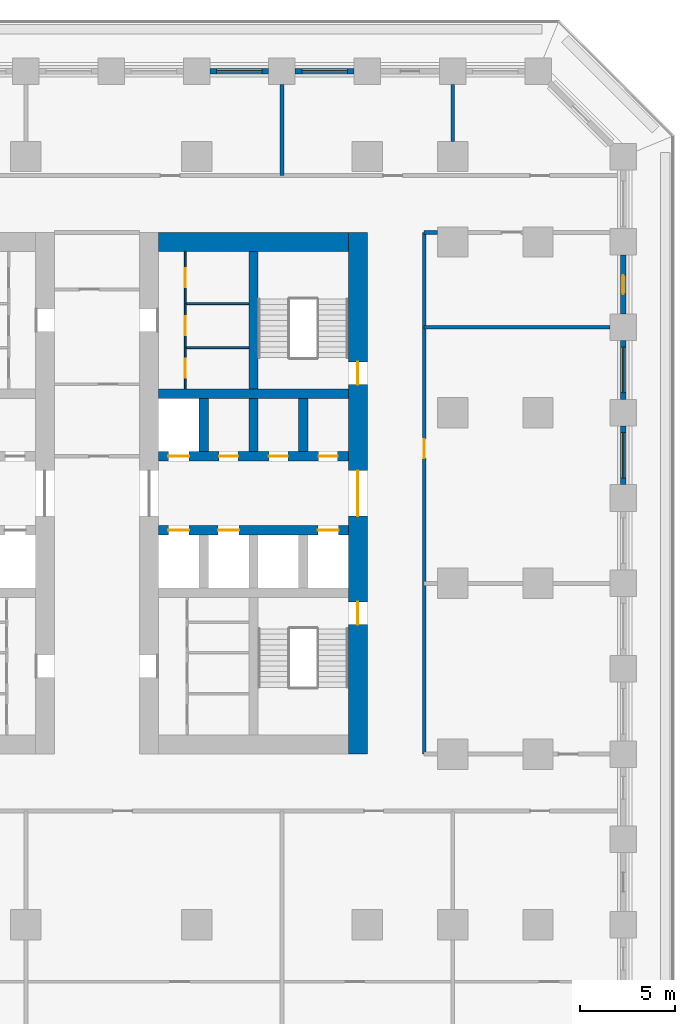
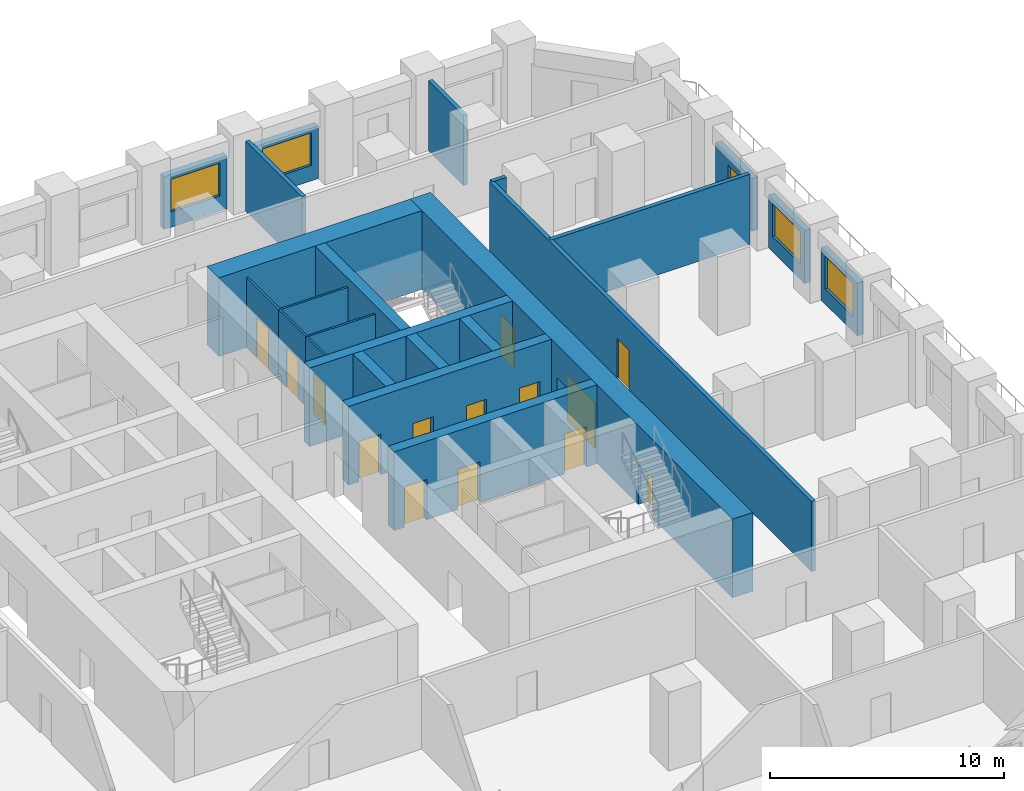
# One storey, part 7 of 11: 24 walls, 15 doors, 4 windows, 19 openings.
"""IFC4 building model written with IfcOpenShell, lengths in metres."""

from ifc_helpers import new_model, si_unit, direction, frame, frame_2d, origin, place, context, subcontext, project, spatial, rectangle, extrude, material, layer, layer_set, type_object, element, fill, save


model = new_model("IFC4")

# Units and contexts
model_context = context("Model", 3, precision=1e-05, world=origin(), true_north=direction((0.0, 1.0)))
body_context = subcontext(model_context, "Body", "Model", "MODEL_VIEW")
ifc_project = project(units=[si_unit("LENGTHUNIT", "METRE"), si_unit("AREAUNIT", "SQUARE_METRE"), si_unit("VOLUMEUNIT", "CUBIC_METRE"), si_unit("PLANEANGLEUNIT", "RADIAN"), si_unit("MASSUNIT", "GRAM", prefix="KILO")], contexts=[model_context])

# Site, building, storey
site_placement = place(None, origin())
site = spatial("IfcSite", under=ifc_project, at=site_placement, CompositionType="ELEMENT")
building_placement = place(site_placement, origin())
building = spatial("IfcBuilding", under=site, at=building_placement, Name="Corbel Stack Research Tower", CompositionType="ELEMENT")
storey_placement = place(building_placement, frame((0.0, 0.0, 46.0)))
storey = spatial("IfcBuildingStorey", under=building, at=storey_placement, Name="L10", CompositionType="ELEMENT", Elevation=46.0)

# Wall, openings, doors
ifc_material_1 = material(Name="Concrete C70/85", Category="concrete")
ifc_layer_1 = layer(ifc_material_1, 1.0)
ifc_layer_set_1 = layer_set([ifc_layer_1], Name="Concrete C70/85")
wall_type_1 = type_object("IfcWallType", Name="CW-1000-70", PredefinedType="SHEAR", material=ifc_layer_set_1)
wall_1_placement = place(storey_placement, frame((17.5, -9.0, 0.0), z_axis=(0.0, 0.0, 1.0), x_axis=(0.0, 1.0, 0.0)))
wall_1 = element("IfcWall", 1, at=wall_1_placement, inside=storey, type_object=wall_type_1, Name="East core wall, east face L10", PredefinedType="SHEAR", context=body_context, shape_type="SweptSolid", body=[
    extrude(rectangle(XDim=27.5, YDim=1.0, at=frame_2d((13.75, 0.0))), origin(), (0.0, 0.0, 1.0), 4.10009765625),
])
opening_1_placement = place(wall_1_placement, frame((12.550048828125, 0.0, 0.0)))
opening_1 = element("IfcOpeningElement", 2, at=opening_1_placement, cuts=wall_1, Name="Opening CD-E-E", PredefinedType="OPENING", context=body_context, shape_type="SweptSolid", body=[
    extrude(rectangle(XDim=2.39990234375, YDim=2.39990234375, at=frame_2d((1.199951171875, 1.199951171875))), frame((0.0, 0.510009765625, 0.0), z_axis=(0.0, -1.0, 0.0), x_axis=(1.0, 0.0, 0.0)), (0.0, 0.0, 1.0), 1.02001953125),
])
opening_2_placement = place(wall_1_placement, frame((6.824951171875, 0.0, 0.0)))
opening_2 = element("IfcOpeningElement", 3, at=opening_2_placement, cuts=wall_1, Name="Opening SD-ST-E1", PredefinedType="OPENING", context=body_context, shape_type="SweptSolid", body=[
    extrude(rectangle(XDim=1.199951171875, YDim=2.10009765625, at=frame_2d((0.60009765625, 1.050048828125))), frame((0.0, 0.510009765625, 0.0), z_axis=(0.0, -1.0, 0.0), x_axis=(1.0, 0.0, 0.0)), (0.0, 0.0, 1.0), 1.02001953125),
])
opening_3_placement = place(wall_1_placement, frame((19.47509765625, 0.0, 0.0)))
opening_3 = element("IfcOpeningElement", 4, at=opening_3_placement, cuts=wall_1, Name="Opening SD-ST-E2", PredefinedType="OPENING", context=body_context, shape_type="SweptSolid", body=[
    extrude(rectangle(XDim=1.199951171875, YDim=2.10009765625, at=frame_2d((0.60009765625, 1.050048828125))), frame((0.0, 0.510009765625, 0.0), z_axis=(0.0, -1.0, 0.0), x_axis=(1.0, 0.0, 0.0)), (0.0, 0.0, 1.0), 1.02001953125),
])
ifc_material_2 = material(Name="Painted steel fire door", Category="steel")
door_type_1 = type_object("IfcDoorType", Name="Lobby door pair 2400 x 2400 FD30S", OperationType="DOUBLE_DOOR_DOUBLE_SWING", PredefinedType="DOOR", material=ifc_material_2)
door_1_placement = place(opening_1_placement, origin())
door_1 = element("IfcDoor", 5, at=door_1_placement, inside=storey, type_object=door_type_1, Name="Lift lobby door E core E", OperationType="DOUBLE_DOOR_DOUBLE_SWING", OverallHeight=2.39990234375, OverallWidth=2.39990234375, PredefinedType="DOOR", context=body_context, shape_type="SweptSolid", body=[
    extrude(rectangle(XDim=2.39990234375, YDim=2.39990234375, at=frame_2d((1.199951171875, 1.199951171875))), frame((0.0, 0.02490234375, 0.0), z_axis=(0.0, -1.0, 0.0), x_axis=(1.0, 0.0, 0.0)), (0.0, 0.0, 1.0), 0.050048828125),
])
fill(opening_1, door_1)
ifc_material_3 = material(Name="Painted steel fire door", Category="steel")
door_type_2 = type_object("IfcDoorType", Name="Stair door 1200 x 2100 FD90 right hand", OperationType="SINGLE_SWING_RIGHT", PredefinedType="DOOR", material=ifc_material_3)
door_2_placement = place(opening_2_placement, frame((1.199951171875, 0.0, 0.0), z_axis=(0.0, 0.0, 1.0), x_axis=(-1.0, 0.0, 0.0)))
door_2 = element("IfcDoor", 6, at=door_2_placement, inside=storey, type_object=door_type_2, Name="Stair door ST-E1", OperationType="SINGLE_SWING_LEFT", OverallHeight=2.10009765625, OverallWidth=1.199951171875, PredefinedType="DOOR", context=body_context, shape_type="SweptSolid", body=[
    extrude(rectangle(XDim=1.199951171875, YDim=2.10009765625, at=frame_2d((0.60009765625, 1.050048828125))), frame((0.0, 0.02490234375, 0.0), z_axis=(0.0, -1.0, 0.0), x_axis=(1.0, 0.0, 0.0)), (0.0, 0.0, 1.0), 0.050048828125),
])
fill(opening_2, door_2)
door_3_placement = place(opening_3_placement, frame((1.199951171875, 0.0, 0.0), z_axis=(0.0, 0.0, 1.0), x_axis=(-1.0, 0.0, 0.0)))
door_3 = element("IfcDoor", 7, at=door_3_placement, inside=storey, type_object=door_type_2, Name="Stair door ST-E2", OperationType="SINGLE_SWING_LEFT", OverallHeight=2.10009765625, OverallWidth=1.199951171875, PredefinedType="DOOR", context=body_context, shape_type="SweptSolid", body=[
    extrude(rectangle(XDim=1.199951171875, YDim=2.10009765625, at=frame_2d((0.60009765625, 1.050048828125))), frame((0.0, 0.02490234375, 0.0), z_axis=(0.0, -1.0, 0.0), x_axis=(1.0, 0.0, 0.0)), (0.0, 0.0, 1.0), 0.050048828125),
])
fill(opening_3, door_3)

# Wall
wall_2_placement = place(storey_placement, frame((7.0, 18.0, 0.0), z_axis=(0.0, 0.0, 1.0), x_axis=(1.0, 0.0, 0.0)))
element("IfcWall", 8, at=wall_2_placement, inside=storey, type_object=wall_type_1, Name="East core wall, north end L10", PredefinedType="SHEAR", context=body_context, shape_type="SweptSolid", body=[
    extrude(rectangle(XDim=10.0, YDim=1.0, at=frame_2d((5.0, 0.0))), origin(), (0.0, 0.0, 1.0), 4.10009765625),
])

# Wall, openings, doors
ifc_material_4 = material(Name="Concrete C70/85", Category="concrete")
ifc_layer_2 = layer(ifc_material_4, 0.5)
ifc_layer_set_2 = layer_set([ifc_layer_2], Name="Concrete C70/85")
wall_type_2 = type_object("IfcWallType", Name="CW-500-70", PredefinedType="SHEAR", material=ifc_layer_set_2)
wall_3_placement = place(storey_placement, frame((7.0, 2.800048828125, 0.0), z_axis=(0.0, 0.0, 1.0), x_axis=(1.0, 0.0, 0.0)))
wall_3 = element("IfcWall", 9, at=wall_3_placement, inside=storey, type_object=wall_type_2, Name="East core wall, lobby south L10", PredefinedType="SHEAR", context=body_context, shape_type="SweptSolid", body=[
    extrude(rectangle(XDim=10.0, YDim=0.5, at=frame_2d((5.0, 0.0))), origin(), (0.0, 0.0, 1.0), 4.10009765625),
])
opening_4_placement = place(wall_3_placement, frame((0.512451171875, 0.0, 0.0)))
opening_4 = element("IfcOpeningElement", 10, at=opening_4_placement, cuts=wall_3, Name="Opening LD-FS2", PredefinedType="OPENING", context=body_context, shape_type="SweptSolid", body=[
    extrude(rectangle(XDim=1.10009765625, YDim=2.10009765625, at=frame_2d((0.550048828125, 1.050048828125))), frame((0.0, 0.260009765625, 0.0), z_axis=(0.0, -1.0, 0.0), x_axis=(1.0, 0.0, 0.0)), (0.0, 0.0, 1.0), 0.52001953125),
])
opening_5_placement = place(wall_3_placement, frame((3.137451171875, 0.0, 0.0)))
opening_5 = element("IfcOpeningElement", 11, at=opening_5_placement, cuts=wall_3, Name="Opening LD-GL2", PredefinedType="OPENING", context=body_context, shape_type="SweptSolid", body=[
    extrude(rectangle(XDim=1.10009765625, YDim=2.10009765625, at=frame_2d((0.550048828125, 1.050048828125))), frame((0.0, 0.260009765625, 0.0), z_axis=(0.0, -1.0, 0.0), x_axis=(1.0, 0.0, 0.0)), (0.0, 0.0, 1.0), 0.52001953125),
])
opening_6_placement = place(wall_3_placement, frame((8.387451171875, 0.0, 0.0)))
opening_6 = element("IfcOpeningElement", 12, at=opening_6_placement, cuts=wall_3, Name="Opening LD-LR3", PredefinedType="OPENING", context=body_context, shape_type="SweptSolid", body=[
    extrude(rectangle(XDim=1.10009765625, YDim=2.10009765625, at=frame_2d((0.550048828125, 1.050048828125))), frame((0.0, 0.260009765625, 0.0), z_axis=(0.0, -1.0, 0.0), x_axis=(1.0, 0.0, 0.0)), (0.0, 0.0, 1.0), 0.52001953125),
])
ifc_material_5 = material(Name="Stainless steel landing door", Category="steel")
door_type_3 = type_object("IfcDoorType", Name="Lift landing door 1100 x 2100", OperationType="DOUBLE_DOOR_SLIDING", PredefinedType="DOOR", material=ifc_material_5)
door_4_placement = place(opening_4_placement, origin())
door_4 = element("IfcDoor", 13, at=door_4_placement, inside=storey, type_object=door_type_3, Name="Landing door FS2", OperationType="DOUBLE_DOOR_SLIDING", OverallHeight=2.10009765625, OverallWidth=1.10009765625, PredefinedType="DOOR", context=body_context, shape_type="SweptSolid", body=[
    extrude(rectangle(XDim=1.10009765625, YDim=2.10009765625, at=frame_2d((0.550048828125, 1.050048828125))), frame((0.0, 0.02490234375, 0.0), z_axis=(0.0, -1.0, 0.0), x_axis=(1.0, 0.0, 0.0)), (0.0, 0.0, 1.0), 0.050048828125),
])
fill(opening_4, door_4)
door_5_placement = place(opening_5_placement, origin())
door_5 = element("IfcDoor", 14, at=door_5_placement, inside=storey, type_object=door_type_3, Name="Landing door GL2", OperationType="DOUBLE_DOOR_SLIDING", OverallHeight=2.10009765625, OverallWidth=1.10009765625, PredefinedType="DOOR", context=body_context, shape_type="SweptSolid", body=[
    extrude(rectangle(XDim=1.10009765625, YDim=2.10009765625, at=frame_2d((0.550048828125, 1.050048828125))), frame((0.0, 0.02490234375, 0.0), z_axis=(0.0, -1.0, 0.0), x_axis=(1.0, 0.0, 0.0)), (0.0, 0.0, 1.0), 0.050048828125),
])
fill(opening_5, door_5)
door_6_placement = place(opening_6_placement, origin())
door_6 = element("IfcDoor", 15, at=door_6_placement, inside=storey, type_object=door_type_3, Name="Landing door LR3", OperationType="DOUBLE_DOOR_SLIDING", OverallHeight=2.10009765625, OverallWidth=1.10009765625, PredefinedType="DOOR", context=body_context, shape_type="SweptSolid", body=[
    extrude(rectangle(XDim=1.10009765625, YDim=2.10009765625, at=frame_2d((0.550048828125, 1.050048828125))), frame((0.0, 0.02490234375, 0.0), z_axis=(0.0, -1.0, 0.0), x_axis=(1.0, 0.0, 0.0)), (0.0, 0.0, 1.0), 0.050048828125),
])
fill(opening_6, door_6)

wall_4_placement = place(storey_placement, frame((7.0, 6.699951171875, 0.0), z_axis=(0.0, 0.0, 1.0), x_axis=(1.0, 0.0, 0.0)))
wall_4 = element("IfcWall", 16, at=wall_4_placement, inside=storey, type_object=wall_type_2, Name="East core wall, lobby north L10", PredefinedType="SHEAR", context=body_context, shape_type="SweptSolid", body=[
    extrude(rectangle(XDim=10.0, YDim=0.5, at=frame_2d((5.0, 0.0))), origin(), (0.0, 0.0, 1.0), 4.10009765625),
])
opening_7_placement = place(wall_4_placement, frame((0.512451171875, 0.0, 0.0)))
opening_7 = element("IfcOpeningElement", 17, at=opening_7_placement, cuts=wall_4, Name="Opening LD-LR4", PredefinedType="OPENING", context=body_context, shape_type="SweptSolid", body=[
    extrude(rectangle(XDim=1.10009765625, YDim=2.10009765625, at=frame_2d((0.550048828125, 1.050048828125))), frame((0.0, 0.260009765625, 0.0), z_axis=(0.0, -1.0, 0.0), x_axis=(1.0, 0.0, 0.0)), (0.0, 0.0, 1.0), 0.52001953125),
])
opening_8_placement = place(wall_4_placement, frame((3.1875, 0.0, 0.0)))
opening_8 = element("IfcOpeningElement", 18, at=opening_8_placement, cuts=wall_4, Name="Opening CR-E42-N2", PredefinedType="OPENING", context=body_context, shape_type="SweptSolid", body=[
    extrude(rectangle(XDim=1.0, YDim=2.10009765625, at=frame_2d((0.5, 1.050048828125))), frame((0.0, 0.260009765625, 0.0), z_axis=(0.0, -1.0, 0.0), x_axis=(1.0, 0.0, 0.0)), (0.0, 0.0, 1.0), 0.52001953125),
])
opening_9_placement = place(wall_4_placement, frame((5.8125, 0.0, 0.0)))
opening_9 = element("IfcOpeningElement", 19, at=opening_9_placement, cuts=wall_4, Name="Opening CR-E42-N3", PredefinedType="OPENING", context=body_context, shape_type="SweptSolid", body=[
    extrude(rectangle(XDim=1.0, YDim=2.10009765625, at=frame_2d((0.5, 1.050048828125))), frame((0.0, 0.260009765625, 0.0), z_axis=(0.0, -1.0, 0.0), x_axis=(1.0, 0.0, 0.0)), (0.0, 0.0, 1.0), 0.52001953125),
])
opening_10_placement = place(wall_4_placement, frame((8.4375, 0.0, 0.0)))
opening_10 = element("IfcOpeningElement", 20, at=opening_10_placement, cuts=wall_4, Name="Opening CR-E42-N4", PredefinedType="OPENING", context=body_context, shape_type="SweptSolid", body=[
    extrude(rectangle(XDim=1.0, YDim=2.10009765625, at=frame_2d((0.5, 1.050048828125))), frame((0.0, 0.260009765625, 0.0), z_axis=(0.0, -1.0, 0.0), x_axis=(1.0, 0.0, 0.0)), (0.0, 0.0, 1.0), 0.52001953125),
])
door_7_placement = place(opening_7_placement, origin())
door_7 = element("IfcDoor", 21, at=door_7_placement, inside=storey, type_object=door_type_3, Name="Landing door LR4", OperationType="DOUBLE_DOOR_SLIDING", OverallHeight=2.10009765625, OverallWidth=1.10009765625, PredefinedType="DOOR", context=body_context, shape_type="SweptSolid", body=[
    extrude(rectangle(XDim=1.10009765625, YDim=2.10009765625, at=frame_2d((0.550048828125, 1.050048828125))), frame((0.0, 0.02490234375, 0.0), z_axis=(0.0, -1.0, 0.0), x_axis=(1.0, 0.0, 0.0)), (0.0, 0.0, 1.0), 0.050048828125),
])
fill(opening_7, door_7)
ifc_material_6 = material(Name="Painted steel door", Category="steel")
door_type_4 = type_object("IfcDoorType", Name="Service door 1000 x 2100 FD60 left hand", OperationType="SINGLE_SWING_LEFT", PredefinedType="DOOR", material=ifc_material_6)
door_8_placement = place(opening_9_placement, origin())
door_8 = element("IfcDoor", 22, at=door_8_placement, inside=storey, type_object=door_type_4, Name="Copy and supply store door E core", OperationType="SINGLE_SWING_LEFT", OverallHeight=2.10009765625, OverallWidth=1.0, PredefinedType="DOOR", context=body_context, shape_type="SweptSolid", body=[
    extrude(rectangle(XDim=1.0, YDim=2.10009765625, at=frame_2d((0.5, 1.050048828125))), frame((0.0, 0.02490234375, 0.0), z_axis=(0.0, -1.0, 0.0), x_axis=(1.0, 0.0, 0.0)), (0.0, 0.0, 1.0), 0.050048828125),
])
fill(opening_9, door_8)
ifc_material_7 = material(Name="Painted steel door", Category="steel")
door_type_5 = type_object("IfcDoorType", Name="Service door 1000 x 2100 FD60 right hand", OperationType="SINGLE_SWING_RIGHT", PredefinedType="DOOR", material=ifc_material_7)
door_9_placement = place(opening_8_placement, origin())
door_9 = element("IfcDoor", 23, at=door_9_placement, inside=storey, type_object=door_type_5, Name="Telecom room door E core", OperationType="SINGLE_SWING_RIGHT", OverallHeight=2.10009765625, OverallWidth=1.0, PredefinedType="DOOR", context=body_context, shape_type="SweptSolid", body=[
    extrude(rectangle(XDim=1.0, YDim=2.10009765625, at=frame_2d((0.5, 1.050048828125))), frame((0.0, 0.02490234375, 0.0), z_axis=(0.0, -1.0, 0.0), x_axis=(1.0, 0.0, 0.0)), (0.0, 0.0, 1.0), 0.050048828125),
])
fill(opening_8, door_9)
door_10_placement = place(opening_10_placement, origin())
door_10 = element("IfcDoor", 24, at=door_10_placement, inside=storey, type_object=door_type_5, Name="Records store door E core", OperationType="SINGLE_SWING_RIGHT", OverallHeight=2.10009765625, OverallWidth=1.0, PredefinedType="DOOR", context=body_context, shape_type="SweptSolid", body=[
    extrude(rectangle(XDim=1.0, YDim=2.10009765625, at=frame_2d((0.5, 1.050048828125))), frame((0.0, 0.02490234375, 0.0), z_axis=(0.0, -1.0, 0.0), x_axis=(1.0, 0.0, 0.0)), (0.0, 0.0, 1.0), 0.050048828125),
])
fill(opening_10, door_10)

# Walls
wall_5_placement = place(storey_placement, frame((7.0, 10.0, 0.0), z_axis=(0.0, 0.0, 1.0), x_axis=(1.0, 0.0, 0.0)))
element("IfcWall", 25, at=wall_5_placement, inside=storey, type_object=wall_type_2, Name="East core wall, north row back L10", PredefinedType="SHEAR", context=body_context, shape_type="SweptSolid", body=[
    extrude(rectangle(XDim=10.0, YDim=0.5, at=frame_2d((5.0, 0.0))), origin(), (0.0, 0.0, 1.0), 4.10009765625),
])
for number, where, z_axis, x_axis, name in (
    (26, (9.375, 6.949951171875, 0.0), (0.0, 0.0, 1.0), (0.0, 1.0, 0.0), "East core wall, north shaft 1 L10"),
    (27, (12.0, 6.949951171875, 0.0), (0.0, 0.0, 1.0), (0.0, 1.0, 0.0), "East core wall, north shaft 2 L10"),
    (28, (14.625, 6.949951171875, 0.0), (0.0, 0.0, 1.0), (0.0, 1.0, 0.0), "East core wall, north shaft 3 L10"),
):
    element("IfcWall", number, at=place(storey_placement, frame(where, z_axis=z_axis, x_axis=x_axis)), inside=storey, type_object=wall_type_2, Name=name, PredefinedType="SHEAR", context=body_context, shape_type="SweptSolid", body=[
        extrude(rectangle(XDim=2.800048828125, YDim=0.5, at=frame_2d((1.39990234375, 0.0))), origin(), (0.0, 0.0, 1.0), 4.10009765625),
    ])
wall_6_placement = place(storey_placement, frame((12.0, 10.25, 0.0), z_axis=(0.0, 0.0, 1.0), x_axis=(0.0, 1.0, 0.0)))
element("IfcWall", 29, at=wall_6_placement, inside=storey, type_object=wall_type_2, Name="East core wall, north stair and riser L10", PredefinedType="SHEAR", context=body_context, shape_type="SweptSolid", body=[
    extrude(rectangle(XDim=7.25, YDim=0.5, at=frame_2d((3.625, 0.0))), origin(), (0.0, 0.0, 1.0), 4.10009765625),
])

# Wall, opening, door
ifc_material_8 = material(Name="Gypsum board")
ifc_layer_3 = layer(ifc_material_8, 0.10009765625)
ifc_layer_set_3 = layer_set([ifc_layer_3], Name="Gypsum board")
wall_type_3 = type_object("IfcWallType", Name="Core partition 100", PredefinedType="PARTITIONING", material=ifc_layer_set_3)
wall_7_placement = place(storey_placement, frame((8.39990234375, 10.25, 0.0), z_axis=(0.0, 0.0, 1.0), x_axis=(0.0, 1.0, 0.0)))
wall_7 = element("IfcWall", 30, at=wall_7_placement, inside=storey, type_object=wall_type_3, Name="Core partition E", PredefinedType="PARTITIONING", context=body_context, shape_type="SweptSolid", body=[
    extrude(rectangle(XDim=2.175048828125, YDim=0.10009765625, at=frame_2d((1.08740234375, 0.0))), origin(), (0.0, 0.0, 1.0), 3.64990234375),
])
opening_11_placement = place(wall_7_placement, frame((0.58740234375, 0.0, 0.0)))
opening_11 = element("IfcOpeningElement", 31, at=opening_11_placement, cuts=wall_7, Name="Opening CR-E42-R2-1000", PredefinedType="OPENING", context=body_context, shape_type="SweptSolid", body=[
    extrude(rectangle(XDim=1.0, YDim=2.10009765625, at=frame_2d((0.5, 1.050048828125))), frame((0.0, 0.06005859375, 0.0), z_axis=(0.0, -1.0, 0.0), x_axis=(1.0, 0.0, 0.0)), (0.0, 0.0, 1.0), 0.1201171875),
])
ifc_material_9 = material(Name="Painted steel door", Category="steel")
door_type_6 = type_object("IfcDoorType", Name="Riser door 1000 x 2100 FD60 left hand", OperationType="SINGLE_SWING_LEFT", PredefinedType="DOOR", material=ifc_material_9)
door_11_placement = place(opening_11_placement, origin())
door_11 = element("IfcDoor", 32, at=door_11_placement, inside=storey, type_object=door_type_6, Name="Mechanical riser door E core", OperationType="SINGLE_SWING_LEFT", OverallHeight=2.10009765625, OverallWidth=1.0, PredefinedType="DOOR", context=body_context, shape_type="SweptSolid", body=[
    extrude(rectangle(XDim=1.0, YDim=2.10009765625, at=frame_2d((0.5, 1.050048828125))), frame((0.0, 0.02490234375, 0.0), z_axis=(0.0, -1.0, 0.0), x_axis=(1.0, 0.0, 0.0)), (0.0, 0.0, 1.0), 0.050048828125),
])
fill(opening_11, door_11)

wall_8_placement = place(storey_placement, frame((8.39990234375, 12.425048828125, 0.0), z_axis=(0.0, 0.0, 1.0), x_axis=(0.0, 1.0, 0.0)))
wall_8 = element("IfcWall", 33, at=wall_8_placement, inside=storey, type_object=wall_type_3, Name="Core partition E", PredefinedType="PARTITIONING", context=body_context, shape_type="SweptSolid", body=[
    extrude(rectangle(XDim=2.320068359375, YDim=0.10009765625, at=frame_2d((1.16015625, 0.0))), origin(), (0.0, 0.0, 1.0), 3.64990234375),
])
opening_12_placement = place(wall_8_placement, frame((0.659912109375, 0.0, 0.0)))
opening_12 = element("IfcOpeningElement", 34, at=opening_12_placement, cuts=wall_8, Name="Opening CR-E42-R3-1000", PredefinedType="OPENING", context=body_context, shape_type="SweptSolid", body=[
    extrude(rectangle(XDim=1.0, YDim=2.10009765625, at=frame_2d((0.5, 1.050048828125))), frame((0.0, 0.06005859375, 0.0), z_axis=(0.0, -1.0, 0.0), x_axis=(1.0, 0.0, 0.0)), (0.0, 0.0, 1.0), 0.1201171875),
])
ifc_material_10 = material(Name="Painted steel door", Category="steel")
door_type_7 = type_object("IfcDoorType", Name="Service door 1000 x 2100 FD30 right hand", OperationType="SINGLE_SWING_RIGHT", PredefinedType="DOOR", material=ifc_material_10)
door_12_placement = place(opening_12_placement, origin())
door_12 = element("IfcDoor", 35, at=door_12_placement, inside=storey, type_object=door_type_7, Name="Pantry door E core", OperationType="SINGLE_SWING_RIGHT", OverallHeight=2.10009765625, OverallWidth=1.0, PredefinedType="DOOR", context=body_context, shape_type="SweptSolid", body=[
    extrude(rectangle(XDim=1.0, YDim=2.10009765625, at=frame_2d((0.5, 1.050048828125))), frame((0.0, 0.02490234375, 0.0), z_axis=(0.0, -1.0, 0.0), x_axis=(1.0, 0.0, 0.0)), (0.0, 0.0, 1.0), 0.050048828125),
])
fill(opening_12, door_12)

wall_9_placement = place(storey_placement, frame((8.39990234375, 14.7451171875, 0.0), z_axis=(0.0, 0.0, 1.0), x_axis=(0.0, 1.0, 0.0)))
wall_9 = element("IfcWall", 36, at=wall_9_placement, inside=storey, type_object=wall_type_3, Name="Core partition E", PredefinedType="PARTITIONING", context=body_context, shape_type="SweptSolid", body=[
    extrude(rectangle(XDim=2.7548828125, YDim=0.10009765625, at=frame_2d((1.37744140625, 0.0))), origin(), (0.0, 0.0, 1.0), 3.64990234375),
])
opening_13_placement = place(wall_9_placement, frame((0.87744140625, 0.0, 0.0)))
opening_13 = element("IfcOpeningElement", 37, at=opening_13_placement, cuts=wall_9, Name="Opening CR-E42-R4-1000", PredefinedType="OPENING", context=body_context, shape_type="SweptSolid", body=[
    extrude(rectangle(XDim=1.0, YDim=2.10009765625, at=frame_2d((0.5, 1.050048828125))), frame((0.0, 0.06005859375, 0.0), z_axis=(0.0, -1.0, 0.0), x_axis=(1.0, 0.0, 0.0)), (0.0, 0.0, 1.0), 0.1201171875),
])
door_13_placement = place(opening_13_placement, origin())
door_13 = element("IfcDoor", 38, at=door_13_placement, inside=storey, type_object=door_type_6, Name="Electrical riser door E core", OperationType="SINGLE_SWING_LEFT", OverallHeight=2.10009765625, OverallWidth=1.0, PredefinedType="DOOR", context=body_context, shape_type="SweptSolid", body=[
    extrude(rectangle(XDim=1.0, YDim=2.10009765625, at=frame_2d((0.5, 1.050048828125))), frame((0.0, 0.02490234375, 0.0), z_axis=(0.0, -1.0, 0.0), x_axis=(1.0, 0.0, 0.0)), (0.0, 0.0, 1.0), 0.050048828125),
])
fill(opening_13, door_13)

# Walls
for number, where, z_axis, x_axis, name in (
    (39, (8.39990234375, 12.425048828125, 0.0), (0.0, 0.0, 1.0), (1.0, 0.0, 0.0), "Core partition E"),
    (40, (8.39990234375, 14.7451171875, 0.0), (0.0, 0.0, 1.0), (1.0, 0.0, 0.0), "Core partition E"),
):
    element("IfcWall", number, at=place(storey_placement, frame(where, z_axis=z_axis, x_axis=x_axis)), inside=storey, type_object=wall_type_3, Name=name, PredefinedType="PARTITIONING", context=body_context, shape_type="SweptSolid", body=[
        extrude(rectangle(XDim=3.35009765625, YDim=0.10009765625, at=frame_2d((1.675048828125, 0.0))), origin(), (0.0, 0.0, 1.0), 3.64990234375),
    ])
ifc_material_11 = material(Name="Fire-rated gypsum board partition on steel studs", Category="steel")
ifc_layer_4 = layer(ifc_material_11, 0.199951171875)
ifc_layer_set_4 = layer_set([ifc_layer_4], Name="Fire-rated gypsum board partition on steel studs")
wall_type_4 = type_object("IfcWallType", Name="Fire-rated partition 200 EI 60", PredefinedType="PARTITIONING", material=ifc_layer_set_4)
wall_10_placement = place(storey_placement, frame((13.5, 21.5, 0.0), z_axis=(0.0, 0.0, 1.0), x_axis=(0.0, 1.0, 0.0)))
element("IfcWall", 41, at=wall_10_placement, inside=storey, type_object=wall_type_4, Name="Partition L10-008", PredefinedType="PARTITIONING", context=body_context, shape_type="SweptSolid", body=[
    extrude(rectangle(XDim=4.800048828125, YDim=0.199951171875, at=frame_2d((2.39990234375, 0.0))), origin(), (0.0, 0.0, 1.0), 3.64990234375),
])

# Wall, opening, door
wall_11_placement = place(storey_placement, frame((21.0, 18.5, 0.0), z_axis=(0.0, 0.0, 1.0), x_axis=(0.0, -1.0, 0.0)))
wall_11 = element("IfcWall", 42, at=wall_11_placement, inside=storey, type_object=wall_type_4, Name="Partition L10-009", PredefinedType="PARTITIONING", context=body_context, shape_type="SweptSolid", body=[
    extrude(rectangle(XDim=27.5, YDim=0.199951171875, at=frame_2d((13.75, 0.0))), origin(), (0.0, 0.0, 1.0), 3.64990234375),
])
opening_14_placement = place(wall_11_placement, frame((10.89990234375, 0.0, 0.0)))
opening_14 = element("IfcOpeningElement", 43, at=opening_14_placement, cuts=wall_11, Name="Opening B2V1-019", PredefinedType="OPENING", context=body_context, shape_type="SweptSolid", body=[
    extrude(rectangle(XDim=1.0, YDim=2.10009765625, at=frame_2d((0.5, 1.050048828125))), frame((0.0, 0.10986328125, 0.0), z_axis=(0.0, -1.0, 0.0), x_axis=(1.0, 0.0, 0.0)), (0.0, 0.0, 1.0), 0.219970703125),
])
ifc_material_12 = material(Name="Painted steel fire door", Category="steel")
door_type_8 = type_object("IfcDoorType", Name="Fire door FD30S 1000 x 2100", OperationType="NOTDEFINED", PredefinedType="DOOR", material=ifc_material_12)
door_14_placement = place(opening_14_placement, origin())
door_14 = element("IfcDoor", 44, at=door_14_placement, inside=storey, type_object=door_type_8, Name="Door B2V1-019", OperationType="SINGLE_SWING_LEFT", OverallHeight=2.10009765625, OverallWidth=1.0, PredefinedType="DOOR", context=body_context, shape_type="SweptSolid", body=[
    extrude(rectangle(XDim=1.0, YDim=2.10009765625, at=frame_2d((0.5, 1.050048828125))), frame((0.0, 0.02490234375, 0.0), z_axis=(0.0, -1.0, 0.0), x_axis=(1.0, 0.0, 0.0)), (0.0, 0.0, 1.0), 0.050048828125),
])
fill(opening_14, door_14)

# Walls
wall_12_placement = place(storey_placement, frame((22.5, 23.300048828125, 0.0), z_axis=(0.0, 0.0, 1.0), x_axis=(0.0, 1.0, 0.0)))
element("IfcWall", 45, at=wall_12_placement, inside=storey, type_object=wall_type_4, Name="Partition L10-012", PredefinedType="PARTITIONING", context=body_context, shape_type="SweptSolid", body=[
    extrude(rectangle(XDim=3.0, YDim=0.199951171875, at=frame_2d((1.5, 0.0))), origin(), (0.0, 0.0, 1.0), 3.64990234375),
])
wall_13_placement = place(storey_placement, frame((21.0, 13.5, 0.0), z_axis=(0.0, 0.0, 1.0), x_axis=(1.0, 0.0, 0.0)))
element("IfcWall", 46, at=wall_13_placement, inside=storey, type_object=wall_type_4, Name="Partition L10-028", PredefinedType="PARTITIONING", context=body_context, shape_type="SweptSolid", body=[
    extrude(rectangle(XDim=9.800048828125, YDim=0.199951171875, at=frame_2d((4.89990234375, 0.0))), origin(), (0.0, 0.0, 1.0), 3.64990234375),
])
wall_14_placement = place(storey_placement, frame((21.0, 18.5, 0.0), z_axis=(0.0, 0.0, 1.0), x_axis=(1.0, 0.0, 0.0)))
element("IfcWall", 47, at=wall_14_placement, inside=storey, type_object=wall_type_4, Name="Partition L10-033", PredefinedType="PARTITIONING", context=body_context, shape_type="SweptSolid", body=[
    extrude(rectangle(XDim=0.699951171875, YDim=0.199951171875, at=frame_2d((0.35009765625, 0.0))), origin(), (0.0, 0.0, 1.0), 3.64990234375),
])

# Wall, opening, window
ifc_material_13 = material(Name="Concrete C45/55", Category="concrete")
ifc_layer_5 = layer(ifc_material_13, 0.300048828125)
ifc_layer_set_5 = layer_set([ifc_layer_5], Name="Concrete C45/55")
wall_type_5 = type_object("IfcWallType", Name="Terracotta-faced concrete wall 300", PredefinedType="SOLIDWALL", material=ifc_layer_set_5)
wall_15_placement = place(storey_placement, frame((31.5, 8.300048828125, 0.0), z_axis=(0.0, 0.0, 1.0), x_axis=(0.0, -1.0, 0.0)))
wall_15 = element("IfcWall", 48, at=wall_15_placement, inside=storey, type_object=wall_type_5, Name="Facade wall L10 E07", PredefinedType="SOLIDWALL", context=body_context, shape_type="SweptSolid", body=[
    extrude(rectangle(XDim=3.10009765625, YDim=0.300048828125, at=frame_2d((1.550048828125, 0.0))), origin(), (0.0, 0.0, 1.0), 2.75),
])
opening_15_placement = place(wall_15_placement, frame((0.35009765625, 0.0, 0.800048828125)))
opening_15 = element("IfcOpeningElement", 49, at=opening_15_placement, cuts=wall_15, Name="Opening W1", PredefinedType="OPENING", context=body_context, shape_type="SweptSolid", body=[
    extrude(rectangle(XDim=2.39990234375, YDim=1.699951171875, at=frame_2d((1.199951171875, 0.85009765625))), frame((0.0, 0.159912109375, 0.0), z_axis=(0.0, -1.0, 0.0), x_axis=(1.0, 0.0, 0.0)), (0.0, 0.0, 1.0), 0.320068359375),
])
ifc_material_14 = material(Name="Aluminium frame, clear double glazing", Category="aluminium")
window_type = type_object("IfcWindowType", Name="Window W1 2400 x 1700", PartitioningType="SINGLE_PANEL", PredefinedType="WINDOW", material=ifc_material_14)
window_1_placement = place(opening_15_placement, origin())
window_1 = element("IfcWindow", 50, at=window_1_placement, inside=storey, type_object=window_type, Name="Window W1 L10 E07", OverallHeight=1.699951171875, OverallWidth=2.39990234375, PartitioningType="SINGLE_PANEL", PredefinedType="WINDOW", context=body_context, shape_type="SweptSolid", body=[
    extrude(rectangle(XDim=2.39990234375, YDim=1.699951171875, at=frame_2d((1.199951171875, 0.85009765625))), frame((0.0, 0.030029296875, 0.0), z_axis=(0.0, -1.0, 0.0), x_axis=(1.0, 0.0, 0.0)), (0.0, 0.0, 1.0), 0.06005859375),
])
fill(opening_15, window_1)

wall_16_placement = place(storey_placement, frame((31.5, 12.800048828125, 0.0), z_axis=(0.0, 0.0, 1.0), x_axis=(0.0, -1.0, 0.0)))
wall_16 = element("IfcWall", 51, at=wall_16_placement, inside=storey, type_object=wall_type_5, Name="Facade wall L10 E08", PredefinedType="SOLIDWALL", context=body_context, shape_type="SweptSolid", body=[
    extrude(rectangle(XDim=3.10009765625, YDim=0.300048828125, at=frame_2d((1.550048828125, 0.0))), origin(), (0.0, 0.0, 1.0), 2.75),
])
opening_16_placement = place(wall_16_placement, frame((0.35009765625, 0.0, 0.800048828125)))
opening_16 = element("IfcOpeningElement", 52, at=opening_16_placement, cuts=wall_16, Name="Opening W1", PredefinedType="OPENING", context=body_context, shape_type="SweptSolid", body=[
    extrude(rectangle(XDim=2.39990234375, YDim=1.699951171875, at=frame_2d((1.199951171875, 0.85009765625))), frame((0.0, 0.159912109375, 0.0), z_axis=(0.0, -1.0, 0.0), x_axis=(1.0, 0.0, 0.0)), (0.0, 0.0, 1.0), 0.320068359375),
])
window_2_placement = place(opening_16_placement, origin())
window_2 = element("IfcWindow", 53, at=window_2_placement, inside=storey, type_object=window_type, Name="Window W1 L10 E08", OverallHeight=1.699951171875, OverallWidth=2.39990234375, PartitioningType="SINGLE_PANEL", PredefinedType="WINDOW", context=body_context, shape_type="SweptSolid", body=[
    extrude(rectangle(XDim=2.39990234375, YDim=1.699951171875, at=frame_2d((1.199951171875, 0.85009765625))), frame((0.0, 0.030029296875, 0.0), z_axis=(0.0, -1.0, 0.0), x_axis=(1.0, 0.0, 0.0)), (0.0, 0.0, 1.0), 0.06005859375),
])
fill(opening_16, window_2)

# Wall, opening, door
wall_17_placement = place(storey_placement, frame((31.5, 17.300048828125, 0.0), z_axis=(0.0, 0.0, 1.0), x_axis=(0.0, -1.0, 0.0)))
wall_17 = element("IfcWall", 54, at=wall_17_placement, inside=storey, type_object=wall_type_5, Name="Facade wall L10 E09", PredefinedType="SOLIDWALL", context=body_context, shape_type="SweptSolid", body=[
    extrude(rectangle(XDim=3.10009765625, YDim=0.300048828125, at=frame_2d((1.550048828125, 0.0))), origin(), (0.0, 0.0, 1.0), 2.75),
])
opening_17_placement = place(wall_17_placement, frame((1.050048828125, 0.0, 0.0)))
opening_17 = element("IfcOpeningElement", 55, at=opening_17_placement, cuts=wall_17, Name="Opening L10-B05", PredefinedType="OPENING", context=body_context, shape_type="SweptSolid", body=[
    extrude(rectangle(XDim=1.0, YDim=2.199951171875, at=frame_2d((0.5, 1.10009765625))), frame((0.0, 0.159912109375, 0.0), z_axis=(0.0, -1.0, 0.0), x_axis=(1.0, 0.0, 0.0)), (0.0, 0.0, 1.0), 0.320068359375),
])
ifc_material_15 = material(Name="Aluminium frame, clear double glazing", Category="aluminium")
door_type_9 = type_object("IfcDoorType", Name="Balcony door BD1 1000 x 2200", OperationType="NOTDEFINED", PredefinedType="DOOR", material=ifc_material_15)
door_15_placement = place(opening_17_placement, origin())
door_15 = element("IfcDoor", 56, at=door_15_placement, inside=storey, type_object=door_type_9, Name="Balcony door L10-B05", OperationType="SINGLE_SWING_LEFT", OverallHeight=2.199951171875, OverallWidth=1.0, PredefinedType="DOOR", context=body_context, shape_type="SweptSolid", body=[
    extrude(rectangle(XDim=1.0, YDim=2.199951171875, at=frame_2d((0.5, 1.10009765625))), frame((0.0, 0.02490234375, 0.0), z_axis=(0.0, -1.0, 0.0), x_axis=(1.0, 0.0, 0.0)), (0.0, 0.0, 1.0), 0.050048828125),
])
fill(opening_17, door_15)

# Wall, opening, window
wall_18_placement = place(storey_placement, frame((14.199951171875, 27.0, 0.0), z_axis=(0.0, 0.0, 1.0), x_axis=(1.0, 0.0, 0.0)))
wall_18 = element("IfcWall", 57, at=wall_18_placement, inside=storey, type_object=wall_type_5, Name="Facade wall L10 N03", PredefinedType="SOLIDWALL", context=body_context, shape_type="SweptSolid", body=[
    extrude(rectangle(XDim=3.10009765625, YDim=0.300048828125, at=frame_2d((1.550048828125, 0.0))), origin(), (0.0, 0.0, 1.0), 2.75),
])
opening_18_placement = place(wall_18_placement, frame((0.35009765625, 0.0, 0.800048828125)))
opening_18 = element("IfcOpeningElement", 58, at=opening_18_placement, cuts=wall_18, Name="Opening W1", PredefinedType="OPENING", context=body_context, shape_type="SweptSolid", body=[
    extrude(rectangle(XDim=2.39990234375, YDim=1.699951171875, at=frame_2d((1.199951171875, 0.85009765625))), frame((0.0, 0.159912109375, 0.0), z_axis=(0.0, -1.0, 0.0), x_axis=(1.0, 0.0, 0.0)), (0.0, 0.0, 1.0), 0.320068359375),
])
window_3_placement = place(opening_18_placement, origin())
window_3 = element("IfcWindow", 59, at=window_3_placement, inside=storey, type_object=window_type, Name="Window W1 L10 N03", OverallHeight=1.699951171875, OverallWidth=2.39990234375, PartitioningType="SINGLE_PANEL", PredefinedType="WINDOW", context=body_context, shape_type="SweptSolid", body=[
    extrude(rectangle(XDim=2.39990234375, YDim=1.699951171875, at=frame_2d((1.199951171875, 0.85009765625))), frame((0.0, 0.030029296875, 0.0), z_axis=(0.0, -1.0, 0.0), x_axis=(1.0, 0.0, 0.0)), (0.0, 0.0, 1.0), 0.06005859375),
])
fill(opening_18, window_3)

wall_19_placement = place(storey_placement, frame((9.699951171875, 27.0, 0.0), z_axis=(0.0, 0.0, 1.0), x_axis=(1.0, 0.0, 0.0)))
wall_19 = element("IfcWall", 60, at=wall_19_placement, inside=storey, type_object=wall_type_5, Name="Facade wall L10 N04", PredefinedType="SOLIDWALL", context=body_context, shape_type="SweptSolid", body=[
    extrude(rectangle(XDim=3.10009765625, YDim=0.300048828125, at=frame_2d((1.550048828125, 0.0))), origin(), (0.0, 0.0, 1.0), 2.75),
])
opening_19_placement = place(wall_19_placement, frame((0.35009765625, 0.0, 0.800048828125)))
opening_19 = element("IfcOpeningElement", 61, at=opening_19_placement, cuts=wall_19, Name="Opening W1", PredefinedType="OPENING", context=body_context, shape_type="SweptSolid", body=[
    extrude(rectangle(XDim=2.39990234375, YDim=1.699951171875, at=frame_2d((1.199951171875, 0.85009765625))), frame((0.0, 0.159912109375, 0.0), z_axis=(0.0, -1.0, 0.0), x_axis=(1.0, 0.0, 0.0)), (0.0, 0.0, 1.0), 0.320068359375),
])
window_4_placement = place(opening_19_placement, origin())
window_4 = element("IfcWindow", 62, at=window_4_placement, inside=storey, type_object=window_type, Name="Window W1 L10 N04", OverallHeight=1.699951171875, OverallWidth=2.39990234375, PartitioningType="SINGLE_PANEL", PredefinedType="WINDOW", context=body_context, shape_type="SweptSolid", body=[
    extrude(rectangle(XDim=2.39990234375, YDim=1.699951171875, at=frame_2d((1.199951171875, 0.85009765625))), frame((0.0, 0.030029296875, 0.0), z_axis=(0.0, -1.0, 0.0), x_axis=(1.0, 0.0, 0.0)), (0.0, 0.0, 1.0), 0.06005859375),
])
fill(opening_19, window_4)

save(model, "model.ifc")
